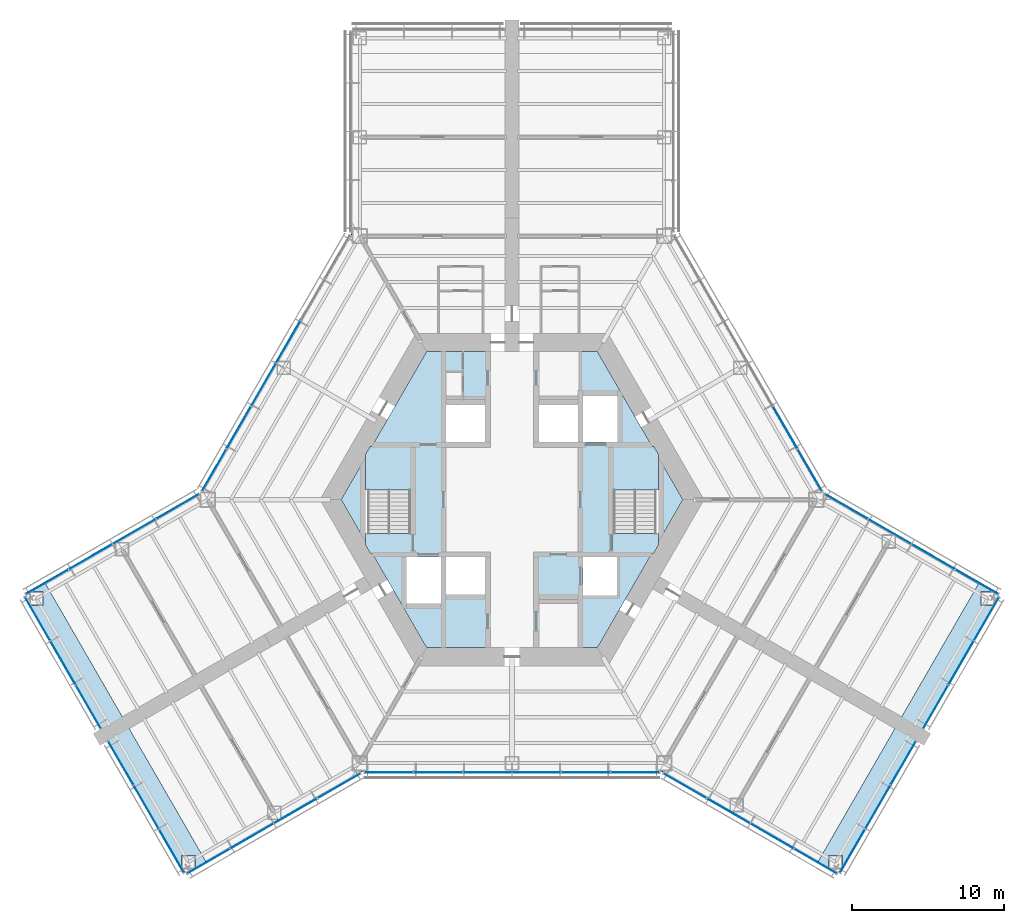
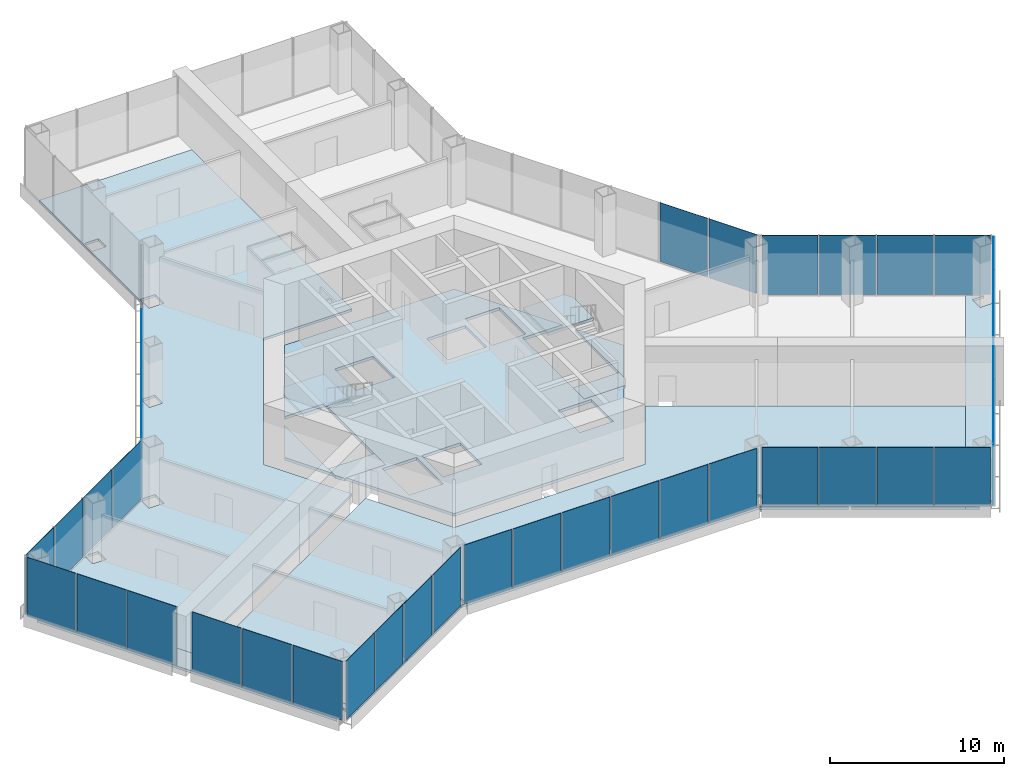
# One storey, part 9 of 15: 40 plates, 11 slabs, 13 elements without a shape of their own.
"""IFC4 building model written with IfcOpenShell, lengths in metres."""

from ifc_helpers import new_model, si_unit, direction, frame, origin, origin_2d, place, context, subcontext, project, spatial, polyline, rectangle, outline, extrude, material, layer, layer_set, type_object, element, aggregate, save


model = new_model("IFC4")

# Units and contexts
model_context = context("Model", 3, precision=1e-05, world=origin(), true_north=direction((0.0, 1.0)))
body_context = subcontext(model_context, "Body", "Model", "MODEL_VIEW")
ifc_project = project(units=[si_unit("LENGTHUNIT", "METRE"), si_unit("AREAUNIT", "SQUARE_METRE"), si_unit("VOLUMEUNIT", "CUBIC_METRE"), si_unit("PLANEANGLEUNIT", "RADIAN"), si_unit("MASSUNIT", "GRAM", prefix="KILO")], contexts=[model_context])

# Site, building, storey
site_placement = place(None, origin())
site = spatial("IfcSite", under=ifc_project, at=site_placement, CompositionType="ELEMENT")
building_placement = place(site_placement, origin())
building = spatial("IfcBuilding", under=site, at=building_placement, Name="Kasaneha Research Tower", CompositionType="ELEMENT")
storey_placement = place(building_placement, frame((0.0, 0.0, 35.199951171875)))
storey = spatial("IfcBuildingStorey", under=building, at=storey_placement, Name="L09", CompositionType="ELEMENT", Elevation=35.199951171875)

# Curtain wall, plates
ifc_material_1 = material(Name="Glass and aluminium", Category="aluminium")
curtain_wall_type = type_object("IfcCurtainWallType", Name="Dry laboratory curtain wall", PredefinedType="USERDEFINED", material=ifc_material_1)
curtain_wall_1_placement = place(storey_placement, origin())
curtain_wall_1 = element("IfcCurtainWall", 1, at=curtain_wall_1_placement, inside=storey, type_object=curtain_wall_type, Name="CW-L2 L09 run 01a", ObjectType="UNITISED CURTAIN WALL", PredefinedType="USERDEFINED")
ifc_material_2 = material(Name="Laminated double glazing", Category="glass")
ifc_layer_1 = layer(ifc_material_2, 0.028076171875)
ifc_layer_set_1 = layer_set([ifc_layer_1], Name="CW-L2 glazed panel")
plate_type = type_object("IfcPlateType", Name="CW-L2 glazed panel", PredefinedType="CURTAIN_PANEL", material=ifc_layer_set_1)
plate_1_placement = place(storey_placement, frame((-19.944091796875, -23.754638671875, 0.06494140625), z_axis=(0.0, 0.0, 1.0), x_axis=(0.866025411464, 0.499999986699, 0.0)))
plate_1 = element("IfcPlate", 2, at=plate_1_placement, type_object=plate_type, Name="CW-L2 panel 1", PredefinedType="CURTAIN_PANEL", context=body_context, shape_type="SweptSolid", body=[
    extrude(rectangle(XDim=3.21240234375, YDim=0.028076171875, at=origin_2d()), origin(), (0.0, 0.0, 1.0), 4.135009765625),
])
plate_2_placement = place(storey_placement, frame((-17.091796875, -22.107666015625, 0.06494140625), z_axis=(0.0, 0.0, 1.0), x_axis=(0.866025411464, 0.499999986699, 0.0)))
plate_2 = element("IfcPlate", 3, at=plate_2_placement, type_object=plate_type, Name="CW-L2 panel 2", PredefinedType="CURTAIN_PANEL", context=body_context, shape_type="SweptSolid", body=[
    extrude(rectangle(XDim=3.244873046875, YDim=0.028076171875, at=origin_2d()), origin(), (0.0, 0.0, 1.0), 4.135009765625),
])
plate_3_placement = place(storey_placement, frame((-14.225341796875, -20.452880859375, 0.06494140625), z_axis=(0.0, 0.0, 1.0), x_axis=(0.866025411464, 0.499999986699, 0.0)))
plate_3 = element("IfcPlate", 4, at=plate_3_placement, type_object=plate_type, Name="CW-L2 panel 3", PredefinedType="CURTAIN_PANEL", context=body_context, shape_type="SweptSolid", body=[
    extrude(rectangle(XDim=3.244873046875, YDim=0.028076171875, at=origin_2d()), origin(), (0.0, 0.0, 1.0), 4.135009765625),
])
plate_4_placement = place(storey_placement, frame((-11.373046875, -18.80615234375, 0.06494140625), z_axis=(0.0, 0.0, 1.0), x_axis=(0.866025411464, 0.499999986699, 0.0)))
plate_4 = element("IfcPlate", 5, at=plate_4_placement, type_object=plate_type, Name="CW-L2 panel 4", PredefinedType="CURTAIN_PANEL", context=body_context, shape_type="SweptSolid", body=[
    extrude(rectangle(XDim=3.21240234375, YDim=0.028076171875, at=origin_2d()), origin(), (0.0, 0.0, 1.0), 4.135009765625),
])
aggregate(curtain_wall_1, [plate_1, plate_2, plate_3, plate_4])

curtain_wall_2_placement = place(storey_placement, origin())
curtain_wall_2 = element("IfcCurtainWall", 6, at=curtain_wall_2_placement, inside=storey, type_object=curtain_wall_type, Name="CW-L2 L09 run 02a", ObjectType="UNITISED CURTAIN WALL", PredefinedType="USERDEFINED")
plate_5_placement = place(storey_placement, frame((-8.099853515625, -17.92041015625, 0.06494140625), z_axis=(0.0, 0.0, 1.0), x_axis=(1.0, 0.0, 0.0)))
plate_5 = element("IfcPlate", 7, at=plate_5_placement, type_object=plate_type, Name="CW-L2 panel 1", PredefinedType="CURTAIN_PANEL", context=body_context, shape_type="SweptSolid", body=[
    extrude(rectangle(XDim=3.14892578125, YDim=0.028076171875, at=origin_2d()), origin(), (0.0, 0.0, 1.0), 4.135009765625),
])
plate_6_placement = place(storey_placement, frame((-4.86962890625, -17.92041015625, 0.06494140625), z_axis=(0.0, 0.0, 1.0), x_axis=(1.0, 0.0, 0.0)))
plate_6 = element("IfcPlate", 8, at=plate_6_placement, type_object=plate_type, Name="CW-L2 panel 2", PredefinedType="CURTAIN_PANEL", context=body_context, shape_type="SweptSolid", body=[
    extrude(rectangle(XDim=3.181396484375, YDim=0.028076171875, at=origin_2d()), origin(), (0.0, 0.0, 1.0), 4.135009765625),
])
plate_7_placement = place(storey_placement, frame((-1.623291015625, -17.92041015625, 0.06494140625), z_axis=(0.0, 0.0, 1.0), x_axis=(1.0, 0.0, 0.0)))
plate_7 = element("IfcPlate", 9, at=plate_7_placement, type_object=plate_type, Name="CW-L2 panel 3", PredefinedType="CURTAIN_PANEL", context=body_context, shape_type="SweptSolid", body=[
    extrude(rectangle(XDim=3.181396484375, YDim=0.028076171875, at=origin_2d()), origin(), (0.0, 0.0, 1.0), 4.135009765625),
])
plate_8_placement = place(storey_placement, frame((1.623291015625, -17.92041015625, 0.06494140625), z_axis=(0.0, 0.0, 1.0), x_axis=(1.0, 0.0, 0.0)))
plate_8 = element("IfcPlate", 10, at=plate_8_placement, type_object=plate_type, Name="CW-L2 panel 4", PredefinedType="CURTAIN_PANEL", context=body_context, shape_type="SweptSolid", body=[
    extrude(rectangle(XDim=3.181396484375, YDim=0.028076171875, at=origin_2d()), origin(), (0.0, 0.0, 1.0), 4.135009765625),
])
plate_9_placement = place(storey_placement, frame((4.86962890625, -17.92041015625, 0.06494140625), z_axis=(0.0, 0.0, 1.0), x_axis=(1.0, 0.0, 0.0)))
plate_9 = element("IfcPlate", 11, at=plate_9_placement, type_object=plate_type, Name="CW-L2 panel 5", PredefinedType="CURTAIN_PANEL", context=body_context, shape_type="SweptSolid", body=[
    extrude(rectangle(XDim=3.181396484375, YDim=0.028076171875, at=origin_2d()), origin(), (0.0, 0.0, 1.0), 4.135009765625),
])
plate_10_placement = place(storey_placement, frame((8.099853515625, -17.92041015625, 0.06494140625), z_axis=(0.0, 0.0, 1.0), x_axis=(1.0, 0.0, 0.0)))
plate_10 = element("IfcPlate", 12, at=plate_10_placement, type_object=plate_type, Name="CW-L2 panel 6", PredefinedType="CURTAIN_PANEL", context=body_context, shape_type="SweptSolid", body=[
    extrude(rectangle(XDim=3.14892578125, YDim=0.028076171875, at=origin_2d()), origin(), (0.0, 0.0, 1.0), 4.135009765625),
])
aggregate(curtain_wall_2, [plate_5, plate_6, plate_7, plate_8, plate_9, plate_10])

curtain_wall_3_placement = place(storey_placement, origin())
curtain_wall_3 = element("IfcCurtainWall", 13, at=curtain_wall_3_placement, inside=storey, type_object=curtain_wall_type, Name="CW-L2 L09 run 03a", ObjectType="UNITISED CURTAIN WALL", PredefinedType="USERDEFINED")
plate_11_placement = place(storey_placement, frame((11.373046875, -18.80615234375, 0.06494140625), z_axis=(0.0, 0.0, 1.0), x_axis=(0.866025411464, -0.499999986699, 0.0)))
plate_11 = element("IfcPlate", 14, at=plate_11_placement, type_object=plate_type, Name="CW-L2 panel 1", PredefinedType="CURTAIN_PANEL", context=body_context, shape_type="SweptSolid", body=[
    extrude(rectangle(XDim=3.21240234375, YDim=0.028076171875, at=origin_2d()), origin(), (0.0, 0.0, 1.0), 4.135009765625),
])
plate_12_placement = place(storey_placement, frame((14.225341796875, -20.452880859375, 0.06494140625), z_axis=(0.0, 0.0, 1.0), x_axis=(0.866025411464, -0.499999986699, 0.0)))
plate_12 = element("IfcPlate", 15, at=plate_12_placement, type_object=plate_type, Name="CW-L2 panel 2", PredefinedType="CURTAIN_PANEL", context=body_context, shape_type="SweptSolid", body=[
    extrude(rectangle(XDim=3.244873046875, YDim=0.028076171875, at=origin_2d()), origin(), (0.0, 0.0, 1.0), 4.135009765625),
])
plate_13_placement = place(storey_placement, frame((17.091796875, -22.107666015625, 0.06494140625), z_axis=(0.0, 0.0, 1.0), x_axis=(0.866025411464, -0.499999986699, 0.0)))
plate_13 = element("IfcPlate", 16, at=plate_13_placement, type_object=plate_type, Name="CW-L2 panel 3", PredefinedType="CURTAIN_PANEL", context=body_context, shape_type="SweptSolid", body=[
    extrude(rectangle(XDim=3.244873046875, YDim=0.028076171875, at=origin_2d()), origin(), (0.0, 0.0, 1.0), 4.135009765625),
])
plate_14_placement = place(storey_placement, frame((19.944091796875, -23.754638671875, 0.06494140625), z_axis=(0.0, 0.0, 1.0), x_axis=(0.866025411464, -0.499999986699, 0.0)))
plate_14 = element("IfcPlate", 17, at=plate_14_placement, type_object=plate_type, Name="CW-L2 panel 4", PredefinedType="CURTAIN_PANEL", context=body_context, shape_type="SweptSolid", body=[
    extrude(rectangle(XDim=3.21240234375, YDim=0.028076171875, at=origin_2d()), origin(), (0.0, 0.0, 1.0), 4.135009765625),
])
aggregate(curtain_wall_3, [plate_11, plate_12, plate_13, plate_14])

curtain_wall_4_placement = place(storey_placement, origin())
curtain_wall_4 = element("IfcCurtainWall", 18, at=curtain_wall_4_placement, inside=storey, type_object=curtain_wall_type, Name="CW-L2 L09 run 04a", ObjectType="UNITISED CURTAIN WALL", PredefinedType="USERDEFINED")
plate_15_placement = place(storey_placement, frame((22.37353515625, -23.0888671875, 0.06494140625), z_axis=(0.0, 0.0, 1.0), x_axis=(0.500000011442, 0.866025397178, 0.0)))
plate_15 = element("IfcPlate", 19, at=plate_15_placement, type_object=plate_type, Name="CW-L2 panel 1", PredefinedType="CURTAIN_PANEL", context=body_context, shape_type="SweptSolid", body=[
    extrude(rectangle(XDim=3.25244140625, YDim=0.028076171875, at=origin_2d()), origin(), (0.0, 0.0, 1.0), 4.135009765625),
])
plate_16_placement = place(storey_placement, frame((24.04052734375, -20.20166015625, 0.06494140625), z_axis=(0.0, 0.0, 1.0), x_axis=(0.500000011442, 0.866025397178, 0.0)))
plate_16 = element("IfcPlate", 20, at=plate_16_placement, type_object=plate_type, Name="CW-L2 panel 2", PredefinedType="CURTAIN_PANEL", context=body_context, shape_type="SweptSolid", body=[
    extrude(rectangle(XDim=3.284912109375, YDim=0.028076171875, at=origin_2d()), origin(), (0.0, 0.0, 1.0), 4.135009765625),
])
plate_17_placement = place(storey_placement, frame((25.707275390625, -17.314697265625, 0.06494140625), z_axis=(0.0, 0.0, 1.0), x_axis=(0.500000011442, 0.866025397178, 0.0)))
plate_17 = element("IfcPlate", 21, at=plate_17_placement, type_object=plate_type, Name="CW-L2 panel 3", PredefinedType="CURTAIN_PANEL", context=body_context, shape_type="SweptSolid", body=[
    extrude(rectangle(XDim=3.25244140625, YDim=0.028076171875, at=origin_2d()), origin(), (0.0, 0.0, 1.0), 4.135009765625),
])
aggregate(curtain_wall_4, [plate_15, plate_16, plate_17])

curtain_wall_5_placement = place(storey_placement, origin())
curtain_wall_5 = element("IfcCurtainWall", 22, at=curtain_wall_5_placement, inside=storey, type_object=curtain_wall_type, Name="CW-L2 L09 run 05a", ObjectType="UNITISED CURTAIN WALL", PredefinedType="USERDEFINED")
plate_18_placement = place(storey_placement, frame((27.8486328125, -13.60595703125, 0.06494140625), z_axis=(0.0, 0.0, 1.0), x_axis=(0.500000011442, 0.866025397178, 0.0)))
plate_18 = element("IfcPlate", 23, at=plate_18_placement, type_object=plate_type, Name="CW-L2 panel 1", PredefinedType="CURTAIN_PANEL", context=body_context, shape_type="SweptSolid", body=[
    extrude(rectangle(XDim=3.25244140625, YDim=0.028076171875, at=origin_2d()), origin(), (0.0, 0.0, 1.0), 4.135009765625),
])
plate_19_placement = place(storey_placement, frame((29.515380859375, -10.71875, 0.06494140625), z_axis=(0.0, 0.0, 1.0), x_axis=(0.500000011442, 0.866025397178, 0.0)))
plate_19 = element("IfcPlate", 24, at=plate_19_placement, type_object=plate_type, Name="CW-L2 panel 2", PredefinedType="CURTAIN_PANEL", context=body_context, shape_type="SweptSolid", body=[
    extrude(rectangle(XDim=3.284912109375, YDim=0.028076171875, at=origin_2d()), origin(), (0.0, 0.0, 1.0), 4.135009765625),
])
plate_20_placement = place(storey_placement, frame((31.182373046875, -7.83154296875, 0.06494140625), z_axis=(0.0, 0.0, 1.0), x_axis=(0.500000011442, 0.866025397178, 0.0)))
plate_20 = element("IfcPlate", 25, at=plate_20_placement, type_object=plate_type, Name="CW-L2 panel 3", PredefinedType="CURTAIN_PANEL", context=body_context, shape_type="SweptSolid", body=[
    extrude(rectangle(XDim=3.25244140625, YDim=0.028076171875, at=origin_2d()), origin(), (0.0, 0.0, 1.0), 4.135009765625),
])
aggregate(curtain_wall_5, [plate_18, plate_19, plate_20])

curtain_wall_6_placement = place(storey_placement, origin())
curtain_wall_6 = element("IfcCurtainWall", 26, at=curtain_wall_6_placement, inside=storey, type_object=curtain_wall_type, Name="CW-L2 L09 run 06a", ObjectType="UNITISED CURTAIN WALL", PredefinedType="USERDEFINED")
plate_21_placement = place(storey_placement, frame((30.544189453125, -5.394775390625, 0.06494140625), z_axis=(0.0, 0.0, 1.0), x_axis=(-0.866025411464, 0.499999986699, 0.0)))
plate_21 = element("IfcPlate", 27, at=plate_21_placement, type_object=plate_type, Name="CW-L2 panel 1", PredefinedType="CURTAIN_PANEL", context=body_context, shape_type="SweptSolid", body=[
    extrude(rectangle(XDim=3.21240234375, YDim=0.028076171875, at=origin_2d()), origin(), (0.0, 0.0, 1.0), 4.135009765625),
])
plate_22_placement = place(storey_placement, frame((27.69189453125, -3.748046875, 0.06494140625), z_axis=(0.0, 0.0, 1.0), x_axis=(-0.866025411464, 0.499999986699, 0.0)))
plate_22 = element("IfcPlate", 28, at=plate_22_placement, type_object=plate_type, Name="CW-L2 panel 2", PredefinedType="CURTAIN_PANEL", context=body_context, shape_type="SweptSolid", body=[
    extrude(rectangle(XDim=3.244873046875, YDim=0.028076171875, at=origin_2d()), origin(), (0.0, 0.0, 1.0), 4.135009765625),
])
plate_23_placement = place(storey_placement, frame((24.825439453125, -2.093017578125, 0.06494140625), z_axis=(0.0, 0.0, 1.0), x_axis=(-0.866025411464, 0.499999986699, 0.0)))
plate_23 = element("IfcPlate", 29, at=plate_23_placement, type_object=plate_type, Name="CW-L2 panel 3", PredefinedType="CURTAIN_PANEL", context=body_context, shape_type="SweptSolid", body=[
    extrude(rectangle(XDim=3.244873046875, YDim=0.028076171875, at=origin_2d()), origin(), (0.0, 0.0, 1.0), 4.135009765625),
])
plate_24_placement = place(storey_placement, frame((21.97314453125, -0.4462890625, 0.06494140625), z_axis=(0.0, 0.0, 1.0), x_axis=(-0.866025411464, 0.499999986699, 0.0)))
plate_24 = element("IfcPlate", 30, at=plate_24_placement, type_object=plate_type, Name="CW-L2 panel 4", PredefinedType="CURTAIN_PANEL", context=body_context, shape_type="SweptSolid", body=[
    extrude(rectangle(XDim=3.21240234375, YDim=0.028076171875, at=origin_2d()), origin(), (0.0, 0.0, 1.0), 4.135009765625),
])
aggregate(curtain_wall_6, [plate_21, plate_22, plate_23, plate_24])

curtain_wall_7_placement = place(storey_placement, origin())
curtain_wall_7 = element("IfcCurtainWall", 31, at=curtain_wall_7_placement, inside=storey, type_object=curtain_wall_type, Name="CW-L2 L09 run 07a", ObjectType="UNITISED CURTAIN WALL", PredefinedType="USERDEFINED")
plate_25_placement = place(storey_placement, frame((19.569580078125, 1.945556640625, 0.06494140625), z_axis=(0.0, 0.0, 1.0), x_axis=(-0.49999996188, 0.866025425793, 0.0)))
plate_25 = element("IfcPlate", 32, at=plate_25_placement, type_object=plate_type, Name="CW-L2 panel 1", PredefinedType="CURTAIN_PANEL", context=body_context, shape_type="SweptSolid", body=[
    extrude(rectangle(XDim=3.14892578125, YDim=0.028076171875, at=origin_2d()), origin(), (0.0, 0.0, 1.0), 4.135009765625),
])
plate_26_placement = place(storey_placement, frame((17.954345703125, 4.7431640625, 0.06494140625), z_axis=(0.0, 0.0, 1.0), x_axis=(-0.49999996188, 0.866025425793, 0.0)))
plate_26 = element("IfcPlate", 33, at=plate_26_placement, type_object=plate_type, Name="CW-L2 panel 2", PredefinedType="CURTAIN_PANEL", context=body_context, shape_type="SweptSolid", body=[
    extrude(rectangle(XDim=3.181396484375, YDim=0.028076171875, at=origin_2d()), origin(), (0.0, 0.0, 1.0), 4.135009765625),
])
aggregate(curtain_wall_7, [plate_25, plate_26])

curtain_wall_8_placement = place(storey_placement, origin())
curtain_wall_8 = element("IfcCurtainWall", 34, at=curtain_wall_8_placement, inside=storey, type_object=curtain_wall_type, Name="CW-L2 L09 run 12a", ObjectType="UNITISED CURTAIN WALL", PredefinedType="USERDEFINED")
plate_27_placement = place(storey_placement, frame((-14.7080078125, 10.365966796875, 0.06494140625), z_axis=(0.0, 0.0, 1.0), x_axis=(-0.49999996188, -0.866025425793, 0.0)))
plate_27 = element("IfcPlate", 35, at=plate_27_placement, type_object=plate_type, Name="CW-L2 panel 3", PredefinedType="CURTAIN_PANEL", context=body_context, shape_type="SweptSolid", body=[
    extrude(rectangle(XDim=3.181396484375, YDim=0.028076171875, at=origin_2d()), origin(), (0.0, 0.0, 1.0), 4.135009765625),
])
plate_28_placement = place(storey_placement, frame((-16.331298828125, 7.554443359375, 0.06494140625), z_axis=(0.0, 0.0, 1.0), x_axis=(-0.49999996188, -0.866025425793, 0.0)))
plate_28 = element("IfcPlate", 36, at=plate_28_placement, type_object=plate_type, Name="CW-L2 panel 4", PredefinedType="CURTAIN_PANEL", context=body_context, shape_type="SweptSolid", body=[
    extrude(rectangle(XDim=3.181396484375, YDim=0.028076171875, at=origin_2d()), origin(), (0.0, 0.0, 1.0), 4.135009765625),
])
plate_29_placement = place(storey_placement, frame((-17.954345703125, 4.7431640625, 0.06494140625), z_axis=(0.0, 0.0, 1.0), x_axis=(-0.49999996188, -0.866025425793, 0.0)))
plate_29 = element("IfcPlate", 37, at=plate_29_placement, type_object=plate_type, Name="CW-L2 panel 5", PredefinedType="CURTAIN_PANEL", context=body_context, shape_type="SweptSolid", body=[
    extrude(rectangle(XDim=3.181396484375, YDim=0.028076171875, at=origin_2d()), origin(), (0.0, 0.0, 1.0), 4.135009765625),
])
plate_30_placement = place(storey_placement, frame((-19.569580078125, 1.945556640625, 0.06494140625), z_axis=(0.0, 0.0, 1.0), x_axis=(-0.49999996188, -0.866025425793, 0.0)))
plate_30 = element("IfcPlate", 38, at=plate_30_placement, type_object=plate_type, Name="CW-L2 panel 6", PredefinedType="CURTAIN_PANEL", context=body_context, shape_type="SweptSolid", body=[
    extrude(rectangle(XDim=3.14892578125, YDim=0.028076171875, at=origin_2d()), origin(), (0.0, 0.0, 1.0), 4.135009765625),
])
aggregate(curtain_wall_8, [plate_27, plate_28, plate_29, plate_30])

curtain_wall_9_placement = place(storey_placement, origin())
curtain_wall_9 = element("IfcCurtainWall", 39, at=curtain_wall_9_placement, inside=storey, type_object=curtain_wall_type, Name="CW-L2 L09 run 13a", ObjectType="UNITISED CURTAIN WALL", PredefinedType="USERDEFINED")
plate_31_placement = place(storey_placement, frame((-21.97314453125, -0.4462890625, 0.06494140625), z_axis=(0.0, 0.0, 1.0), x_axis=(-0.866025411464, -0.499999986699, 0.0)))
plate_31 = element("IfcPlate", 40, at=plate_31_placement, type_object=plate_type, Name="CW-L2 panel 1", PredefinedType="CURTAIN_PANEL", context=body_context, shape_type="SweptSolid", body=[
    extrude(rectangle(XDim=3.21240234375, YDim=0.028076171875, at=origin_2d()), origin(), (0.0, 0.0, 1.0), 4.135009765625),
])
plate_32_placement = place(storey_placement, frame((-24.825439453125, -2.093017578125, 0.06494140625), z_axis=(0.0, 0.0, 1.0), x_axis=(-0.866025411464, -0.499999986699, 0.0)))
plate_32 = element("IfcPlate", 41, at=plate_32_placement, type_object=plate_type, Name="CW-L2 panel 2", PredefinedType="CURTAIN_PANEL", context=body_context, shape_type="SweptSolid", body=[
    extrude(rectangle(XDim=3.244873046875, YDim=0.028076171875, at=origin_2d()), origin(), (0.0, 0.0, 1.0), 4.135009765625),
])
plate_33_placement = place(storey_placement, frame((-27.69189453125, -3.748046875, 0.06494140625), z_axis=(0.0, 0.0, 1.0), x_axis=(-0.866025411464, -0.499999986699, 0.0)))
plate_33 = element("IfcPlate", 42, at=plate_33_placement, type_object=plate_type, Name="CW-L2 panel 3", PredefinedType="CURTAIN_PANEL", context=body_context, shape_type="SweptSolid", body=[
    extrude(rectangle(XDim=3.244873046875, YDim=0.028076171875, at=origin_2d()), origin(), (0.0, 0.0, 1.0), 4.135009765625),
])
plate_34_placement = place(storey_placement, frame((-30.544189453125, -5.394775390625, 0.06494140625), z_axis=(0.0, 0.0, 1.0), x_axis=(-0.866025411464, -0.499999986699, 0.0)))
plate_34 = element("IfcPlate", 43, at=plate_34_placement, type_object=plate_type, Name="CW-L2 panel 4", PredefinedType="CURTAIN_PANEL", context=body_context, shape_type="SweptSolid", body=[
    extrude(rectangle(XDim=3.21240234375, YDim=0.028076171875, at=origin_2d()), origin(), (0.0, 0.0, 1.0), 4.135009765625),
])
aggregate(curtain_wall_9, [plate_31, plate_32, plate_33, plate_34])

curtain_wall_10_placement = place(storey_placement, origin())
curtain_wall_10 = element("IfcCurtainWall", 44, at=curtain_wall_10_placement, inside=storey, type_object=curtain_wall_type, Name="CW-L2 L09 run 14a", ObjectType="UNITISED CURTAIN WALL", PredefinedType="USERDEFINED")
plate_35_placement = place(storey_placement, frame((-31.182373046875, -7.83154296875, 0.06494140625), z_axis=(0.0, 0.0, 1.0), x_axis=(0.500000011442, -0.866025397178, 0.0)))
plate_35 = element("IfcPlate", 45, at=plate_35_placement, type_object=plate_type, Name="CW-L2 panel 1", PredefinedType="CURTAIN_PANEL", context=body_context, shape_type="SweptSolid", body=[
    extrude(rectangle(XDim=3.25244140625, YDim=0.028076171875, at=origin_2d()), origin(), (0.0, 0.0, 1.0), 4.135009765625),
])
plate_36_placement = place(storey_placement, frame((-29.515380859375, -10.71875, 0.06494140625), z_axis=(0.0, 0.0, 1.0), x_axis=(0.500000011442, -0.866025397178, 0.0)))
plate_36 = element("IfcPlate", 46, at=plate_36_placement, type_object=plate_type, Name="CW-L2 panel 2", PredefinedType="CURTAIN_PANEL", context=body_context, shape_type="SweptSolid", body=[
    extrude(rectangle(XDim=3.284912109375, YDim=0.028076171875, at=origin_2d()), origin(), (0.0, 0.0, 1.0), 4.135009765625),
])
plate_37_placement = place(storey_placement, frame((-27.8486328125, -13.60595703125, 0.06494140625), z_axis=(0.0, 0.0, 1.0), x_axis=(0.500000011442, -0.866025397178, 0.0)))
plate_37 = element("IfcPlate", 47, at=plate_37_placement, type_object=plate_type, Name="CW-L2 panel 3", PredefinedType="CURTAIN_PANEL", context=body_context, shape_type="SweptSolid", body=[
    extrude(rectangle(XDim=3.25244140625, YDim=0.028076171875, at=origin_2d()), origin(), (0.0, 0.0, 1.0), 4.135009765625),
])
aggregate(curtain_wall_10, [plate_35, plate_36, plate_37])

curtain_wall_11_placement = place(storey_placement, origin())
curtain_wall_11 = element("IfcCurtainWall", 48, at=curtain_wall_11_placement, inside=storey, type_object=curtain_wall_type, Name="CW-L2 L09 run 15a", ObjectType="UNITISED CURTAIN WALL", PredefinedType="USERDEFINED")
plate_38_placement = place(storey_placement, frame((-25.707275390625, -17.314697265625, 0.06494140625), z_axis=(0.0, 0.0, 1.0), x_axis=(0.500000011442, -0.866025397178, 0.0)))
plate_38 = element("IfcPlate", 49, at=plate_38_placement, type_object=plate_type, Name="CW-L2 panel 1", PredefinedType="CURTAIN_PANEL", context=body_context, shape_type="SweptSolid", body=[
    extrude(rectangle(XDim=3.25244140625, YDim=0.028076171875, at=origin_2d()), origin(), (0.0, 0.0, 1.0), 4.135009765625),
])
plate_39_placement = place(storey_placement, frame((-24.04052734375, -20.20166015625, 0.06494140625), z_axis=(0.0, 0.0, 1.0), x_axis=(0.500000011442, -0.866025397178, 0.0)))
plate_39 = element("IfcPlate", 50, at=plate_39_placement, type_object=plate_type, Name="CW-L2 panel 2", PredefinedType="CURTAIN_PANEL", context=body_context, shape_type="SweptSolid", body=[
    extrude(rectangle(XDim=3.284912109375, YDim=0.028076171875, at=origin_2d()), origin(), (0.0, 0.0, 1.0), 4.135009765625),
])
plate_40_placement = place(storey_placement, frame((-22.37353515625, -23.0888671875, 0.06494140625), z_axis=(0.0, 0.0, 1.0), x_axis=(0.500000011442, -0.866025397178, 0.0)))
plate_40 = element("IfcPlate", 51, at=plate_40_placement, type_object=plate_type, Name="CW-L2 panel 3", PredefinedType="CURTAIN_PANEL", context=body_context, shape_type="SweptSolid", body=[
    extrude(rectangle(XDim=3.25244140625, YDim=0.028076171875, at=origin_2d()), origin(), (0.0, 0.0, 1.0), 4.135009765625),
])
aggregate(curtain_wall_11, [plate_38, plate_39, plate_40])

# Slabs
ifc_material_3 = material(Name="Concrete Fc24", Category="concrete")
ifc_layer_2 = layer(ifc_material_3, 0.199951171875)
ifc_layer_set_2 = layer_set([ifc_layer_2], Name="Core floor slab 200")
slab_type_1 = type_object("IfcSlabType", Name="Core floor slab 200", PredefinedType="FLOOR", material=ifc_layer_set_2)
slab_1_placement = place(storey_placement, frame((0.0, 0.0, -0.199951171875)))
element("IfcSlab", 52, at=slab_1_placement, inside=storey, type_object=slab_type_1, Name="Core slab L09", PredefinedType="FLOOR", context=body_context, shape_type="SweptSolid", body=[
    extrude(outline(polyline([(-11.2294921875, 0.0), (-9.625, 2.779052734375), (-9.625, -2.779052734375), (-11.2294921875, 0.0)])), origin(), (0.0, 0.0, 1.0), 0.199951171875),
])
slab_2_placement = place(storey_placement, frame((0.0, 0.0, -0.199951171875)))
element("IfcSlab", 53, at=slab_2_placement, inside=storey, type_object=slab_type_1, Name="Core slab L09", PredefinedType="FLOOR", context=body_context, shape_type="SweptSolid", body=[
    extrude(outline(polyline([(-5.61474609375, 9.72509765625), (5.61474609375, 9.72509765625), (9.1943359375, 3.52490234375), (6.574951171875, 3.52490234375), (6.574951171875, -3.52490234375), (9.1943359375, -3.52490234375), (5.61474609375, -9.72509765625), (-5.61474609375, -9.72509765625), (-9.1943359375, -3.52490234375), (-6.574951171875, -3.52490234375), (-6.574951171875, 3.52490234375), (-9.1943359375, 3.52490234375), (-5.61474609375, 9.72509765625)]), holes=[polyline([(-6.925048828125, -3.77490234375), (-6.925048828125, -6.824951171875), (-4.675048828125, -6.824951171875), (-4.675048828125, -3.77490234375), (-6.925048828125, -3.77490234375)]), polyline([(4.675048828125, -3.77490234375), (4.675048828125, -6.300048828125), (6.89990234375, -6.300048828125), (6.89990234375, -3.77490234375), (4.675048828125, -3.77490234375)]), polyline([(-4.324951171875, -3.77490234375), (-4.324951171875, -6.22509765625), (-1.77490234375, -6.22509765625), (-1.77490234375, -3.77490234375), (-4.324951171875, -3.77490234375)]), polyline([(-4.324951171875, 6.22509765625), (-4.324951171875, 3.77490234375), (-1.77490234375, 3.77490234375), (-1.77490234375, 6.22509765625), (-4.324951171875, 6.22509765625)]), polyline([(1.77490234375, 6.22509765625), (1.77490234375, 3.77490234375), (4.324951171875, 3.77490234375), (4.324951171875, 6.22509765625), (1.77490234375, 6.22509765625)]), polyline([(4.675048828125, 6.824951171875), (4.675048828125, 3.77490234375), (6.925048828125, 3.77490234375), (6.925048828125, 6.824951171875), (4.675048828125, 6.824951171875)])]), origin(), (0.0, 0.0, 1.0), 0.199951171875),
])
slab_3_placement = place(storey_placement, frame((0.0, 0.0, -0.199951171875)))
element("IfcSlab", 54, at=slab_3_placement, inside=storey, type_object=slab_type_1, Name="Core slab L09", PredefinedType="FLOOR", context=body_context, shape_type="SweptSolid", body=[
    extrude(outline(polyline([(11.2294921875, 0.0), (9.625, -2.779052734375), (9.625, 2.779052734375), (11.2294921875, 0.0)])), origin(), (0.0, 0.0, 1.0), 0.199951171875),
])
ifc_material_4 = material(Name="Concrete Fc24", Category="concrete")
ifc_layer_3 = layer(ifc_material_4, 0.169921875)
ifc_layer_set_3 = layer_set([ifc_layer_3], Name="Floor slab 170")
slab_type_2 = type_object("IfcSlabType", Name="Floor slab 170", PredefinedType="FLOOR", material=ifc_layer_set_3)
slab_4_placement = place(storey_placement, frame((0.0, 0.0, -0.169921875)))
element("IfcSlab", 55, at=slab_4_placement, inside=storey, type_object=slab_type_2, Name="Floor slab L09 1", PredefinedType="FLOOR", context=body_context, shape_type="SweptSolid", body=[
    extrude(outline(polyline([(-25.167236328125, -15.050048828125), (-25.15869140625, -15.044921875), (-20.108642578125, -23.791748046875), (-20.808349609375, -24.19580078125), (-20.808349609375, -23.37060546875), (-21.708251953125, -23.37060546875), (-21.708251953125, -24.14111328125), (-31.633544921875, -6.949951171875), (-30.808349609375, -6.949951171875), (-30.808349609375, -6.050048828125), (-31.578857421875, -6.050048828125), (-30.65869140625, -5.518798828125), (-25.608642578125, -14.265625), (-25.6171875, -14.2705078125), (-25.167236328125, -15.050048828125)])), origin(), (0.0, 0.0, 1.0), 0.169921875),
])
slab_5_placement = place(storey_placement, frame((0.0, 0.0, -0.169921875)))
element("IfcSlab", 56, at=slab_5_placement, inside=storey, type_object=slab_type_2, Name="Floor slab L09 2", PredefinedType="FLOOR", context=body_context, shape_type="SweptSolid", body=[
    extrude(outline(polyline([(-25.17919921875, -2.800048828125), (-25.94970703125, -2.800048828125), (-20.5, 0.346435546875), (-20.5, -0.5), (-19.5, -0.5), (-19.5, 0.5), (-20.346435546875, 0.5), (-15.449951171875, 8.980712890625), (-15.449951171875, 8.210205078125), (-14.550048828125, 8.210205078125), (-14.550048828125, 9.1103515625), (-15.375244140625, 9.1103515625), (-10.550048828125, 17.4677734375), (-10.550048828125, 29.310546875), (-0.449951171875, 29.310546875), (-0.449951171875, 10.925048828125), (-6.3076171875, 10.925048828125), (-12.614990234375, 0.0), (-9.686279296875, -5.07275390625), (-25.608642578125, -14.265625), (-30.65869140625, -5.518798828125), (-26.0791015625, -2.874755859375), (-26.0791015625, -3.699951171875), (-25.17919921875, -3.699951171875), (-25.17919921875, -2.800048828125)]), holes=[polyline([(-9.5, 16.820556640625), (-9.5, 17.820556640625), (-10.5, 17.820556640625), (-10.5, 16.820556640625), (-9.5, 16.820556640625)]), polyline([(-10.449951171875, 23.37060546875), (-9.550048828125, 23.37060546875), (-9.550048828125, 24.2705078125), (-10.449951171875, 24.2705078125), (-10.449951171875, 23.37060546875)])]), origin(), (0.0, 0.0, 1.0), 0.169921875),
])
slab_6_placement = place(storey_placement, frame((0.0, 0.0, -0.169921875)))
element("IfcSlab", 57, at=slab_6_placement, inside=storey, type_object=slab_type_2, Name="Floor slab L09 4", PredefinedType="FLOOR", context=body_context, shape_type="SweptSolid", body=[
    extrude(outline(polyline([(-6.3076171875, -10.925048828125), (6.3076171875, -10.925048828125), (9.236328125, -5.852294921875), (25.15869140625, -15.044921875), (20.108642578125, -23.791748046875), (14.442626953125, -20.5205078125), (15.213134765625, -20.5205078125), (15.213134765625, -19.62060546875), (14.313232421875, -19.62060546875), (14.313232421875, -20.44580078125), (9.8525390625, -17.87060546875), (-9.8525390625, -17.87060546875), (-15.17919921875, -20.94580078125), (-15.17919921875, -20.12060546875), (-16.0791015625, -20.12060546875), (-16.0791015625, -21.0205078125), (-15.30859375, -21.0205078125), (-20.108642578125, -23.791748046875), (-25.15869140625, -15.044921875), (-9.236328125, -5.852294921875), (-6.3076171875, -10.925048828125)]), holes=[polyline([(-0.449951171875, -17.7705078125), (0.449951171875, -17.7705078125), (0.449951171875, -16.87060546875), (-0.449951171875, -16.87060546875), (-0.449951171875, -17.7705078125)]), polyline([(-9.5, -17.820556640625), (-9.5, -16.820556640625), (-10.5, -16.820556640625), (-10.5, -17.820556640625), (-9.5, -17.820556640625)]), polyline([(10.5, -17.820556640625), (10.5, -16.820556640625), (9.5, -16.820556640625), (9.5, -17.820556640625), (10.5, -17.820556640625)])]), origin(), (0.0, 0.0, 1.0), 0.169921875),
])
slab_7_placement = place(storey_placement, frame((0.0, 0.0, -0.169921875)))
element("IfcSlab", 58, at=slab_7_placement, inside=storey, type_object=slab_type_2, Name="Floor slab L09 6", PredefinedType="FLOOR", context=body_context, shape_type="SweptSolid", body=[
    extrude(outline(polyline([(25.167236328125, -15.050048828125), (25.6171875, -14.2705078125), (25.608642578125, -14.265625), (30.65869140625, -5.518798828125), (31.578857421875, -6.050048828125), (30.808349609375, -6.050048828125), (30.808349609375, -6.949951171875), (31.633544921875, -6.949951171875), (21.708251953125, -24.14111328125), (21.708251953125, -23.37060546875), (20.808349609375, -23.37060546875), (20.808349609375, -24.19580078125), (20.108642578125, -23.791748046875), (25.15869140625, -15.044921875), (25.167236328125, -15.050048828125)])), origin(), (0.0, 0.0, 1.0), 0.169921875),
])

# Stair, slabs
ifc_material_5 = material(Name="Concrete Fc24", Category="concrete")
stair_type = type_object("IfcStairType", Name="Half-turn stair 24 risers", PredefinedType="HALF_TURN_STAIR", material=ifc_material_5)
stair_1_placement = place(storey_placement, origin())
stair_1 = element("IfcStair", 59, at=stair_1_placement, inside=storey, type_object=stair_type, Name="Stair 1 L09", PredefinedType="HALF_TURN_STAIR")
ifc_material_6 = material(Name="Concrete Fc24", Category="concrete")
ifc_layer_4 = layer(ifc_material_6, 0.199951171875)
ifc_layer_set_4 = layer_set([ifc_layer_4], Name="Stair 1 landing 200")
slab_type_3 = type_object("IfcSlabType", Name="Stair 1 landing 200", PredefinedType="LANDING", material=ifc_layer_set_4)
slab_8_placement = place(storey_placement, frame((0.0, 0.0, -0.199951171875)))
slab_8 = element("IfcSlab", 60, at=slab_8_placement, type_object=slab_type_3, Name="ST1-24R landing 1", PredefinedType="LANDING", context=body_context, shape_type="SweptSolid", body=[
    extrude(outline(polyline([(9.309814453125, -3.52490234375), (6.574951171875, -3.52490234375), (6.574951171875, -2.22509765625), (9.625, -2.22509765625), (9.625, -2.97900390625), (9.309814453125, -3.52490234375)])), origin(), (0.0, 0.0, 1.0), 0.199951171875),
])
slab_9_placement = place(storey_placement, frame((0.0, 0.0, 1.900146484375)))
slab_9 = element("IfcSlab", 61, at=slab_9_placement, type_object=slab_type_3, Name="ST1-24R landing 2", PredefinedType="LANDING", context=body_context, shape_type="SweptSolid", body=[
    extrude(outline(polyline([(6.574951171875, 3.52490234375), (9.309814453125, 3.52490234375), (9.625, 2.97900390625), (9.625, 0.635009765625), (6.574951171875, 0.635009765625), (6.574951171875, 3.52490234375)])), origin(), (0.0, 0.0, 1.0), 0.199951171875),
])
aggregate(stair_1, [slab_8, slab_9])

stair_2_placement = place(storey_placement, origin())
stair_2 = element("IfcStair", 62, at=stair_2_placement, inside=storey, type_object=stair_type, Name="Stair 2 L09", PredefinedType="HALF_TURN_STAIR")
ifc_material_7 = material(Name="Concrete Fc24", Category="concrete")
ifc_layer_5 = layer(ifc_material_7, 0.199951171875)
ifc_layer_set_5 = layer_set([ifc_layer_5], Name="Stair 2 landing 200")
slab_type_4 = type_object("IfcSlabType", Name="Stair 2 landing 200", PredefinedType="LANDING", material=ifc_layer_set_5)
slab_10_placement = place(storey_placement, frame((0.0, 0.0, -0.199951171875)))
slab_10 = element("IfcSlab", 63, at=slab_10_placement, type_object=slab_type_4, Name="ST2-24R landing 1", PredefinedType="LANDING", context=body_context, shape_type="SweptSolid", body=[
    extrude(outline(polyline([(-6.574951171875, -3.52490234375), (-9.309814453125, -3.52490234375), (-9.625, -2.97900390625), (-9.625, -2.22509765625), (-6.574951171875, -2.22509765625), (-6.574951171875, -3.52490234375)])), origin(), (0.0, 0.0, 1.0), 0.199951171875),
])
slab_11_placement = place(storey_placement, frame((0.0, 0.0, 1.900146484375)))
slab_11 = element("IfcSlab", 64, at=slab_11_placement, type_object=slab_type_4, Name="ST2-24R landing 2", PredefinedType="LANDING", context=body_context, shape_type="SweptSolid", body=[
    extrude(outline(polyline([(-6.574951171875, 0.635009765625), (-9.625, 0.635009765625), (-9.625, 2.97900390625), (-9.309814453125, 3.52490234375), (-6.574951171875, 3.52490234375), (-6.574951171875, 0.635009765625)])), origin(), (0.0, 0.0, 1.0), 0.199951171875),
])
aggregate(stair_2, [slab_10, slab_11])

save(model, "model.ifc")
